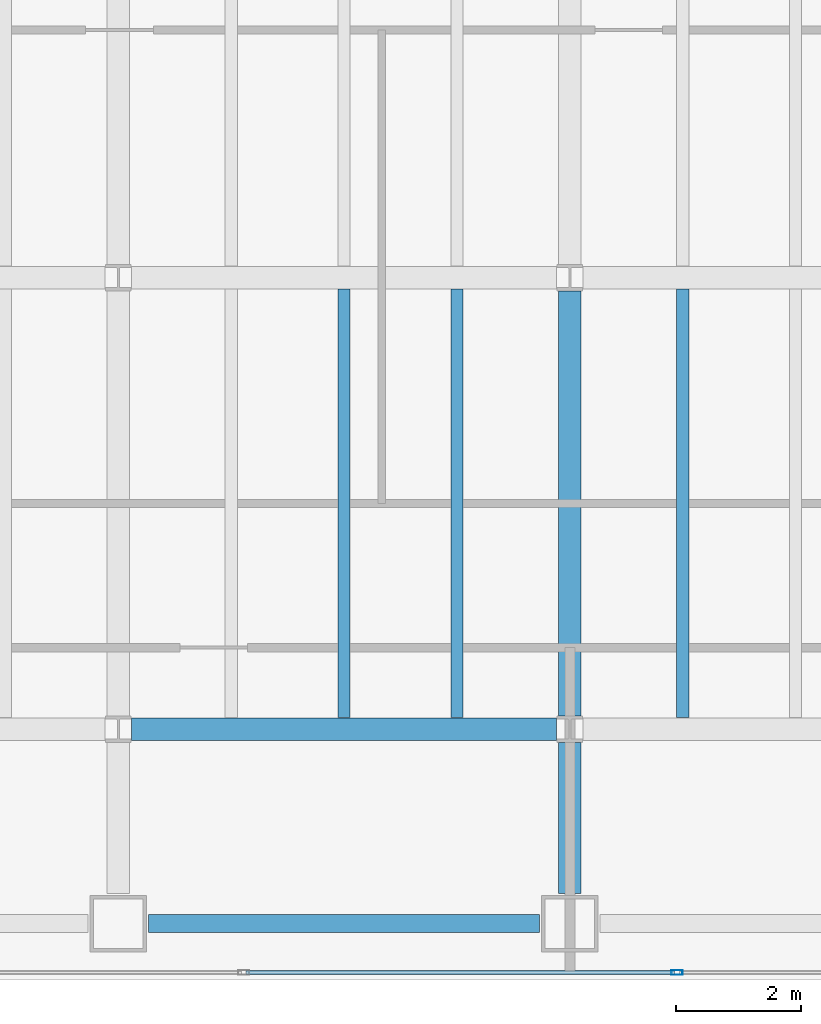
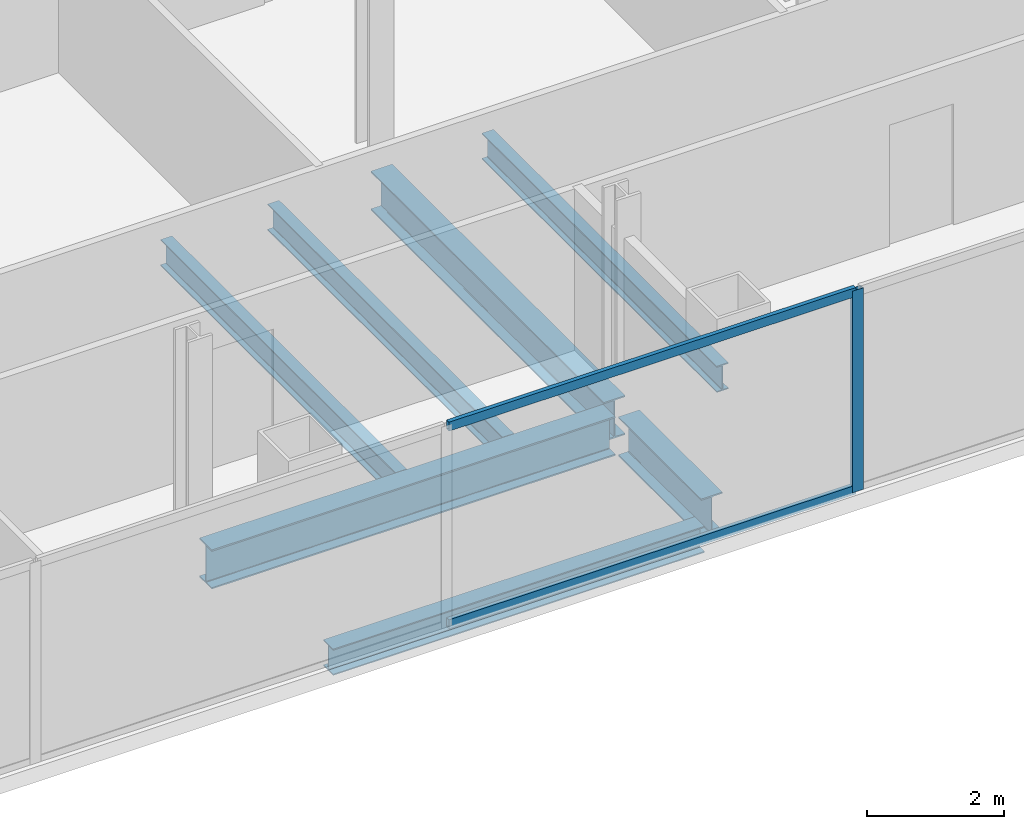
# One storey, part 5 of 23: 7 beams, 3 members, 1 element without a shape of its own.
"""IFC4 building model written with IfcOpenShell, lengths in metres."""

from ifc_helpers import new_model, si_unit, direction, frame, origin, origin_2d, place, context, subcontext, project, spatial, hollow_rectangle, i_section, extrude, material, material_profile, profile_set, type_object, element, aggregate, save


model = new_model("IFC4")

# Units and contexts
model_context = context("Model", 3, precision=1e-05, world=origin(), true_north=direction((0.0, 1.0)))
body_context = subcontext(model_context, "Body", "Model", "MODEL_VIEW")
ifc_project = project(units=[si_unit("LENGTHUNIT", "METRE"), si_unit("AREAUNIT", "SQUARE_METRE"), si_unit("VOLUMEUNIT", "CUBIC_METRE"), si_unit("PLANEANGLEUNIT", "RADIAN"), si_unit("MASSUNIT", "GRAM", prefix="KILO")], contexts=[model_context])

# Site, building, storey
site_placement = place(None, origin())
site = spatial("IfcSite", under=ifc_project, at=site_placement, CompositionType="ELEMENT")
building_placement = place(site_placement, origin())
building = spatial("IfcBuilding", under=site, at=building_placement, Name="Cobrela Telecom Tower", CompositionType="ELEMENT")
storey_placement = place(building_placement, frame((0.0, 0.0, 117.60009765625)))
storey = spatial("IfcBuildingStorey", under=building, at=storey_placement, Name="L29", CompositionType="ELEMENT", Elevation=117.60009765625)

# Beams
ifc_material_1 = material(Name="Steel ASTM A992 Grade 50", Category="steel")
ifc_material_profile_1 = material_profile(ifc_material_1, i_section(OverallWidth=0.35595703125, OverallDepth=0.696044921875, WebThickness=0.015380859375, FlangeThickness=0.024658203125, FilletRadius=0.01806640625, at=origin_2d()), Name="W27X146")
ifc_profile_set_1 = profile_set([ifc_material_profile_1], Name="Steel ASTM A992 Grade 50")
beam_type_1 = type_object("IfcBeamType", Name="BM-GIRD-05", PredefinedType="USERDEFINED", material=ifc_profile_set_1)
beam_1_placement = place(storey_placement, frame((21.8095703125, 7.199951171875, -0.6181640625), z_axis=(1.0, 0.0, 0.0), x_axis=(0.0, 1.0, 0.0)))
element("IfcBeam", 1, at=beam_1_placement, inside=storey, type_object=beam_type_1, Name="L29 Primary Girder X09", ObjectType="GIRDER", PredefinedType="USERDEFINED", context=body_context, shape_type="SweptSolid", body=[
    extrude(i_section(OverallWidth=0.35595703125, OverallDepth=0.696044921875, WebThickness=0.015380859375, FlangeThickness=0.024658203125, FilletRadius=0.01806640625, at=origin_2d()), origin(), (0.0, 0.0, 1.0), 6.781005859375),
])
beam_2_placement = place(storey_placement, frame((28.800048828125, 4.580078125, -0.6181640625), z_axis=(0.0, 1.0, 0.0), x_axis=(-1.0, 0.0, 0.0)))
element("IfcBeam", 2, at=beam_2_placement, inside=storey, type_object=beam_type_1, Name="L29 Primary Girder Y46", ObjectType="GIRDER", PredefinedType="USERDEFINED", context=body_context, shape_type="SweptSolid", body=[
    extrude(i_section(OverallWidth=0.35595703125, OverallDepth=0.696044921875, WebThickness=0.015380859375, FlangeThickness=0.024658203125, FilletRadius=0.01806640625, at=origin_2d()), origin(), (0.0, 0.0, 1.0), 2.410400390625),
])
beam_3_placement = place(storey_placement, frame((28.800048828125, 7.409423828125, -0.6181640625), z_axis=(0.0, 1.0, 0.0), x_axis=(-1.0, 0.0, 0.0)))
element("IfcBeam", 3, at=beam_3_placement, inside=storey, type_object=beam_type_1, Name="L29 Primary Girder Y47", ObjectType="GIRDER", PredefinedType="USERDEFINED", context=body_context, shape_type="SweptSolid", body=[
    extrude(i_section(OverallWidth=0.35595703125, OverallDepth=0.696044921875, WebThickness=0.015380859375, FlangeThickness=0.024658203125, FilletRadius=0.01806640625, at=origin_2d()), origin(), (0.0, 0.0, 1.0), 6.781005859375),
])
ifc_material_profile_2 = material_profile(ifc_material_1, i_section(OverallWidth=0.193115234375, OverallDepth=0.467041015625, WebThickness=0.011474609375, FlangeThickness=0.01904296875, FilletRadius=0.012939453125, at=origin_2d()), Name="W18X65")
ifc_profile_set_2 = profile_set([ifc_material_profile_2], Name="Steel ASTM A992 Grade 50")
beam_type_2 = type_object("IfcBeamType", Name="BM-JOIST-03", PredefinedType="JOIST", material=ifc_profile_set_2)
for number, where, z_axis, x_axis, name in (
    (4, (25.199951171875, 7.383056640625, -0.503662109375), (0.0, 1.0, 0.0), (-1.0, 0.0, 0.0), "L29 Secondary Composite Floor Beam J23"),
    (5, (27.0, 7.383056640625, -0.503662109375), (0.0, 1.0, 0.0), (-1.0, 0.0, 0.0), "L29 Secondary Composite Floor Beam J25"),
    (6, (30.60009765625, 7.383056640625, -0.503662109375), (0.0, 1.0, 0.0), (-1.0, 0.0, 0.0), "L29 Secondary Composite Floor Beam J27"),
):
    element("IfcBeam", number, at=place(storey_placement, frame(where, z_axis=z_axis, x_axis=x_axis)), inside=storey, type_object=beam_type_2, Name=name, PredefinedType="JOIST", context=body_context, shape_type="SweptSolid", body=[
        extrude(i_section(OverallWidth=0.193115234375, OverallDepth=0.467041015625, WebThickness=0.011474609375, FlangeThickness=0.01904296875, FilletRadius=0.012939453125, at=origin_2d()), origin(), (0.0, 0.0, 1.0), 6.833984375),
    ])
ifc_material_profile_3 = material_profile(ifc_material_1, i_section(OverallWidth=0.281982421875, OverallDepth=0.467041015625, WebThickness=0.01220703125, FlangeThickness=0.01953125, FilletRadius=0.012939453125, at=origin_2d()), Name="W18X86")
ifc_profile_set_3 = profile_set([ifc_material_profile_3], Name="Steel ASTM A992 Grade 50")
beam_type_3 = type_object("IfcBeamType", Name="BM-SPAND-04", PredefinedType="SPANDREL", material=ifc_profile_set_3)
beam_4_placement = place(storey_placement, frame((22.080078125, 4.10009765625, -0.503662109375), z_axis=(1.0, 0.0, 0.0), x_axis=(0.0, 1.0, 0.0)))
element("IfcBeam", 7, at=beam_4_placement, inside=storey, type_object=beam_type_3, Name="L29 Perimeter Spandrel X03", PredefinedType="SPANDREL", context=body_context, shape_type="SweptSolid", body=[
    extrude(i_section(OverallWidth=0.281982421875, OverallDepth=0.467041015625, WebThickness=0.01220703125, FlangeThickness=0.01953125, FilletRadius=0.012939453125, at=origin_2d()), origin(), (0.0, 0.0, 1.0), 6.239990234375),
])

# Curtain wall, members
ifc_material_2 = material(Name="Anodized Bronze Aluminium 6063-T6", Category="aluminium")
curtain_wall_type = type_object("IfcCurtainWallType", Name="CW-SYS-TEL", PredefinedType="USERDEFINED", material=ifc_material_2)
curtain_wall_placement = place(storey_placement, origin())
curtain_wall = element("IfcCurtainWall", 8, at=curtain_wall_placement, inside=storey, type_object=curtain_wall_type, Name="L29 Unitised Bronze Curtain Wall 17", ObjectType="UNITISED CURTAIN WALL", PredefinedType="USERDEFINED")
ifc_material_profile_4 = material_profile(ifc_material_2, hollow_rectangle(XDim=0.074951171875, YDim=0.179931640625, WallThickness=0.00390625, at=origin_2d()), Name="ALU 75x180x4")
ifc_profile_set_4 = profile_set([ifc_material_profile_4], Name="Anodized Bronze Aluminium 6063-T6")
member_type_1 = type_object("IfcMemberType", Name="CW-SYS-TEL-MUL", PredefinedType="MULLION", material=ifc_profile_set_4)
member_1_placement = place(storey_placement, frame((30.510009765625, 3.320068359375, 0.0), z_axis=(0.0, 0.0, 1.0), x_axis=(0.0, -1.0, 0.0)))
member_1 = element("IfcMember", 9, at=member_1_placement, type_object=member_type_1, Name="CW-TEL mullion 3", PredefinedType="MULLION", context=body_context, shape_type="SweptSolid", body=[
    extrude(hollow_rectangle(XDim=0.074951171875, YDim=0.179931640625, WallThickness=0.00390625, at=origin_2d()), origin(), (0.0, 0.0, 1.0), 3.579833984375),
])
ifc_material_profile_5 = material_profile(ifc_material_2, hollow_rectangle(XDim=0.070068359375, YDim=0.159912109375, WallThickness=0.00390625, at=origin_2d()), Name="ALU 70x160x4")
ifc_profile_set_5 = profile_set([ifc_material_profile_5], Name="Anodized Bronze Aluminium 6063-T6")
member_type_2 = type_object("IfcMemberType", Name="CW-SYS-TEL-TRN", PredefinedType="USERDEFINED", material=ifc_profile_set_5)
member_2_placement = place(storey_placement, frame((30.472412109375, 3.320068359375, 0.034912109375), z_axis=(-1.0, 0.0, 0.0), x_axis=(0.0, -1.0, 0.0)))
member_2 = element("IfcMember", 10, at=member_2_placement, type_object=member_type_2, Name="CW-TEL transom 3.1", ObjectType="TRANSOM", PredefinedType="USERDEFINED", context=body_context, shape_type="SweptSolid", body=[
    extrude(hollow_rectangle(XDim=0.070068359375, YDim=0.159912109375, WallThickness=0.00390625, at=origin_2d()), origin(), (0.0, 0.0, 1.0), 6.8349609375),
])
member_3_placement = place(storey_placement, frame((30.472412109375, 3.320068359375, 3.544921875), z_axis=(-1.0, 0.0, 0.0), x_axis=(0.0, -1.0, 0.0)))
member_3 = element("IfcMember", 11, at=member_3_placement, type_object=member_type_2, Name="CW-TEL transom 3.2", ObjectType="TRANSOM", PredefinedType="USERDEFINED", context=body_context, shape_type="SweptSolid", body=[
    extrude(hollow_rectangle(XDim=0.070068359375, YDim=0.159912109375, WallThickness=0.00390625, at=origin_2d()), origin(), (0.0, 0.0, 1.0), 6.8349609375),
])
aggregate(curtain_wall, [member_1, member_2, member_3])

save(model, "model.ifc")
